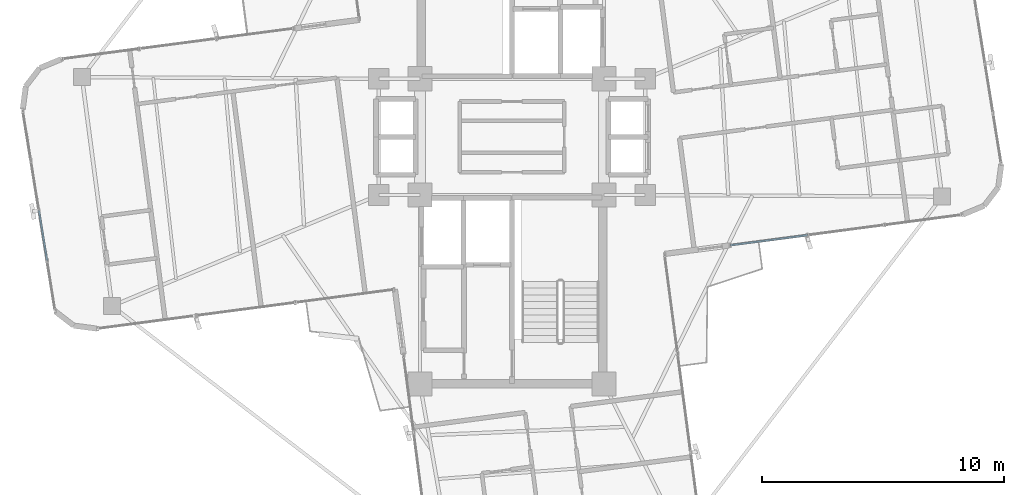
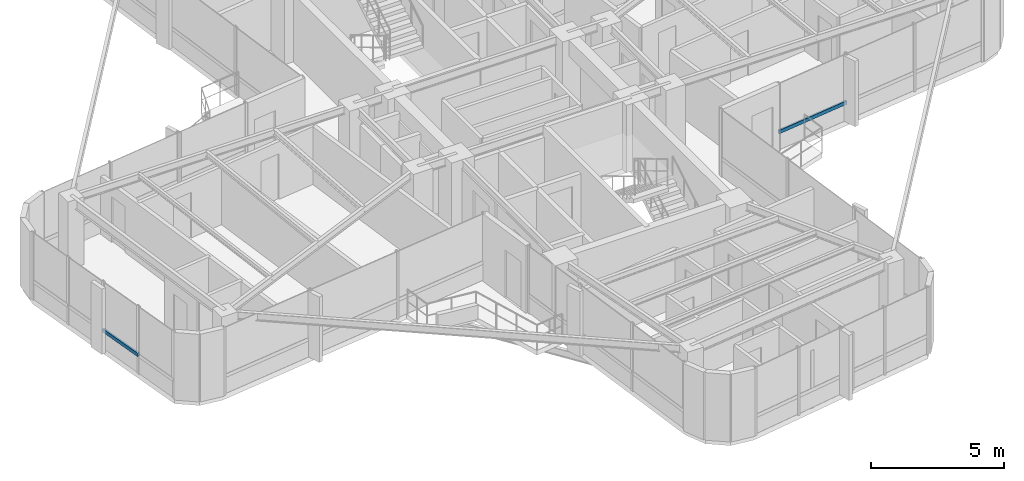
# One storey, part 6 of 22: 2 members, 2 elements without a shape of their own.
"""IFC4 building model written with IfcOpenShell, lengths in metres."""

import ifcopenshell
import ifcopenshell.guid

model = None  # the IFC model being written
_history = None  # IfcOwnerHistory: only IFC2X3 demands one
_inside = {}  # id of a spatial element -> (the spatial element, [elements in it])
_under = {}  # id of a project, library or spatial element -> (it, [spatial elements below it])
_declared = {}  # id of a project -> (the project, [libraries it declares])
_typed = {}  # id of a type object -> (the type object, [elements of that type])
_made_of = {}  # id of a material, layer set ... -> (it, [elements and type objects made of it])


def new_model(schema):
    """Start an empty IFC model of exactly this schema.

    Asked for "IFC4X3", IfcOpenShell would pick the latest addendum, in which some entities
    have other attributes; the version numbers below select the first issue.
    IFC2X3 requires an IfcOwnerHistory on every rooted entity: one is made here for all.
    """
    global model, _history
    if schema == "IFC4X3":
        model = ifcopenshell.file(schema_version=(4, 3, 0, 0))
    else:
        model = ifcopenshell.file(schema=schema)
    _inside.clear()
    _under.clear()
    _declared.clear()
    _typed.clear()
    _made_of.clear()
    _history = None
    if model.schema == "IFC2X3":
        org = make("IfcOrganization", Name="unknown")
        user = make(
            "IfcPersonAndOrganization",
            ThePerson=make("IfcPerson", FamilyName="unknown"),
            TheOrganization=org,
        )
        app = make(
            "IfcApplication",
            ApplicationDeveloper=org,
            Version="unknown",
            ApplicationFullName="unknown",
            ApplicationIdentifier="unknown",
        )
        _history = make(
            "IfcOwnerHistory",
            OwningUser=user,
            OwningApplication=app,
            ChangeAction="ADDED",
            CreationDate=0,
        )
    return model


def make(cls, **values):
    """One entity of the class cls with the attributes given. An attribute that is None is left unset."""
    return model.create_entity(
        cls, **{name: value for name, value in values.items() if value is not None}
    )


def rooted(cls, **values):
    """An entity with a GlobalId (a new one), such as an element, a storey or a relation."""
    return make(cls, GlobalId=ifcopenshell.guid.new(), OwnerHistory=_history, **values)


def si_unit(unit_type, name, prefix=None):
    """IfcSIUnit, for example si_unit("LENGTHUNIT", "METRE", prefix="MILLI")."""
    return make("IfcSIUnit", UnitType=unit_type, Prefix=prefix, Name=name)


def assignment(units):
    """IfcUnitAssignment: the units of a project."""
    return None if units is None else make("IfcUnitAssignment", Units=units)


def point(xyz):
    """IfcCartesianPoint."""
    return None if xyz is None else make("IfcCartesianPoint", Coordinates=xyz)


def direction(xyz):
    """IfcDirection."""
    return None if xyz is None else make("IfcDirection", DirectionRatios=xyz)


def frame(location, z_axis=None, x_axis=None):
    """IfcAxis2Placement3D, a coordinate frame: its origin and axes. An axis left out is left unset."""
    return make(
        "IfcAxis2Placement3D",
        Location=point(location),
        Axis=direction(z_axis),
        RefDirection=direction(x_axis),
    )


def frame_2d(location, x_axis=None):
    """IfcAxis2Placement2D, a coordinate frame in the plane: its origin and x axis."""
    return make(
        "IfcAxis2Placement2D", Location=point(location), RefDirection=direction(x_axis)
    )


def origin():
    """The frame at (0, 0, 0) with its axes left unset."""
    return frame((0.0, 0.0, 0.0))


def origin_2d():
    """The frame at (0, 0) in the plane with its x axis left unset."""
    return frame_2d((0.0, 0.0))


def place(relative_to, where):
    """IfcLocalPlacement: puts the frame where relative to a parent placement (None: the world)."""
    return make(
        "IfcLocalPlacement", PlacementRelTo=relative_to, RelativePlacement=where
    )


def context(
    kind, dimensions, precision=None, world=None, true_north=None, identifier=None
):
    """IfcGeometricRepresentationContext, for example the 3D "Model" context."""
    return make(
        "IfcGeometricRepresentationContext",
        ContextIdentifier=identifier,
        ContextType=kind,
        CoordinateSpaceDimension=dimensions,
        Precision=precision,
        WorldCoordinateSystem=world,
        TrueNorth=true_north,
    )


def subcontext(parent, identifier, kind, view, scale=None):
    """IfcGeometricRepresentationSubContext, for example "Body" below "Model"."""
    return make(
        "IfcGeometricRepresentationSubContext",
        ContextIdentifier=identifier,
        ContextType=kind,
        ParentContext=parent,
        TargetScale=scale,
        TargetView=view,
    )


def project(units=None, contexts=None):
    """IfcProject with its units and contexts."""
    return rooted(
        "IfcProject",
        Name="project",
        RepresentationContexts=contexts,
        UnitsInContext=assignment(units),
    )


def spatial(cls, under=None, at=None, **own):
    """A site, building, storey or space (cls), placed at a placement, below another one or the project."""
    s = rooted(cls, ObjectPlacement=at, **own)
    if under is not None:
        _under.setdefault(under.id(), (under, []))[1].append(s)
    return s


def profile(cls, at=None, kind="AREA", **sizes):
    """A parametric profile (cls). Its sizes go by their IFC names, for example OverallWidth=200.0."""
    return make(cls, ProfileType=kind, Position=at, **sizes)


def hollow_rectangle(**sizes):
    """IfcRectangleHollowProfileDef."""
    return profile("IfcRectangleHollowProfileDef", **sizes)


def extrude(swept, where, along, depth):
    """IfcExtrudedAreaSolid: the profile swept, set in the frame where, extruded along a direction by depth."""
    return make(
        "IfcExtrudedAreaSolid",
        SweptArea=swept,
        Position=where,
        ExtrudedDirection=direction(along),
        Depth=depth,
    )


def shape(context_of_items, identifier, shape_type, items):
    """IfcShapeRepresentation: the items that make up one representation, for example the "Body"."""
    return make(
        "IfcShapeRepresentation",
        ContextOfItems=context_of_items,
        RepresentationIdentifier=identifier,
        RepresentationType=shape_type,
        Items=items,
    )


def source(mapping_origin, context_of_items, identifier, shape_type, items):
    """IfcRepresentationMap: a shape defined once, which mapped items show again and again."""
    return make(
        "IfcRepresentationMap",
        MappingOrigin=mapping_origin,
        MappedRepresentation=shape(context_of_items, identifier, shape_type, items),
    )


def transform(
    local_origin,
    x_axis=None,
    y_axis=None,
    z_axis=None,
    scale=None,
    scale2=None,
    scale3=None,
    uniform=True,
):
    """IfcCartesianTransformationOperator3D, or its non-uniform kind. x_axis, y_axis, z_axis: its Axis1, 2, 3."""
    if uniform:
        return make(
            "IfcCartesianTransformationOperator3D",
            Axis1=direction(x_axis),
            Axis2=direction(y_axis),
            LocalOrigin=point(local_origin),
            Scale=scale,
            Axis3=direction(z_axis),
        )
    return make(
        "IfcCartesianTransformationOperator3DnonUniform",
        Axis1=direction(x_axis),
        Axis2=direction(y_axis),
        LocalOrigin=point(local_origin),
        Scale=scale,
        Axis3=direction(z_axis),
        Scale2=scale2,
        Scale3=scale3,
    )


def mapped(mapping_source, mapping_target):
    """IfcMappedItem: shows the shape of a source again, moved by a transform."""
    return make(
        "IfcMappedItem", MappingSource=mapping_source, MappingTarget=mapping_target
    )


def material(Name=None, Category=None):
    """IfcMaterial."""
    return make("IfcMaterial", Name=Name, Category=Category)


def material_profile(
    of_material, cross_section, Name=None, Category=None, Priority=None
):
    """IfcMaterialProfile: a cross section and its material."""
    return make(
        "IfcMaterialProfile",
        Name=Name,
        Material=of_material,
        Profile=cross_section,
        Priority=Priority,
        Category=Category,
    )


def profile_set(profiles, Name=None, composite=None):
    """IfcMaterialProfileSet."""
    return make(
        "IfcMaterialProfileSet",
        Name=Name,
        MaterialProfiles=profiles,
        CompositeProfile=composite,
    )


def made_of(thing, what):
    """Note that an element or type object is made of a material, layer set ...; save() writes the relation."""
    if what is not None:
        _made_of.setdefault(what.id(), (what, []))[1].append(thing)
    return thing


def type_object(cls, material=None, **own):
    """A type object (cls), such as IfcWallType, which elements share."""
    return made_of(rooted(cls, **own), material)


def element(
    cls,
    number,
    at=None,
    inside=None,
    cuts=None,
    type_object=None,
    material=None,
    context=None,
    identifier="Body",
    shape_type=None,
    held_by="IfcProductDefinitionShape",
    body=None,
    shapes=None,
    **own,
):
    """One element of the class cls, such as IfcWall. Its Tag is "e" and its number.

    at: its placement. inside: the storey or other place that contains it. cuts: it is an
    opening in that element (IfcRelVoidsElement). A single representation is given by context,
    identifier, shape_type and body (its items); several are given by shapes. held_by: the class
    of the entity that holds the representations. save() writes the other relations.
    """
    e = rooted(cls, Tag="e%d" % number, ObjectPlacement=at, **own)
    if body is not None:
        shapes = [shape(context, identifier, shape_type, body)]
    if shapes is not None:
        e.Representation = make(held_by, Representations=shapes)
    if inside is not None:
        _inside.setdefault(inside.id(), (inside, []))[1].append(e)
    if cuts is not None:
        rooted(
            "IfcRelVoidsElement", RelatingBuildingElement=cuts, RelatedOpeningElement=e
        )
    if type_object is not None:
        _typed.setdefault(type_object.id(), (type_object, []))[1].append(e)
    return made_of(e, material)


def aggregate(whole, parts):
    """IfcRelAggregates: a whole, such as a stair, and the parts it consists of."""
    return rooted("IfcRelAggregates", RelatingObject=whole, RelatedObjects=parts)


def save(model, path):
    """Write the relations noted so far, then the file.

    IfcRelAggregates (storeys below a building ...), IfcRelContainedInSpatialStructure (elements
    in a storey), IfcRelDefinesByType, IfcRelAssociatesMaterial and IfcRelDeclares: one each for
    every whole, place, type object, material and project.
    """
    for whole, parts in _under.values():
        aggregate(whole, parts)
    for where, things in _inside.values():
        rooted(
            "IfcRelContainedInSpatialStructure",
            RelatedElements=things,
            RelatingStructure=where,
        )
    for kind, things in _typed.values():
        rooted("IfcRelDefinesByType", RelatedObjects=things, RelatingType=kind)
    for what, things in _made_of.values():
        rooted("IfcRelAssociatesMaterial", RelatedObjects=things, RelatingMaterial=what)
    for by, libraries in _declared.values():
        rooted("IfcRelDeclares", RelatingContext=by, RelatedDefinitions=libraries)
    model.write(path)


model = new_model("IFC4")

# Units and contexts
model_context = context("Model", 3, precision=1e-05, world=origin(), true_north=direction((0.0, 1.0)))
body_context = subcontext(model_context, "Body", "Model", "MODEL_VIEW")
ifc_project = project(units=[si_unit("LENGTHUNIT", "METRE"), si_unit("AREAUNIT", "SQUARE_METRE"), si_unit("VOLUMEUNIT", "CUBIC_METRE"), si_unit("PLANEANGLEUNIT", "RADIAN"), si_unit("MASSUNIT", "GRAM", prefix="KILO")], contexts=[model_context])

# Site, building, storey
site_placement = place(None, origin())
site = spatial("IfcSite", under=ifc_project, at=site_placement, CompositionType="ELEMENT")
building_placement = place(site_placement, origin())
building = spatial("IfcBuilding", under=site, at=building_placement, Name="Sahyath Konkavel Grand Hotel", CompositionType="ELEMENT")
storey_placement = place(building_placement, frame((0.0, 0.0, 247.85009765625)))
storey = spatial("IfcBuildingStorey", under=building, at=storey_placement, Name="L69", CompositionType="ELEMENT", Elevation=247.85009765625)

# Curtain wall, member
ifc_material_1 = material(Name="Anodised Bronze Aluminium & Low-E Glazing", Category="aluminium")
curtain_wall_type = type_object("IfcCurtainWallType", Name="CW-ZONE4", PredefinedType="NOTDEFINED", material=ifc_material_1)
curtain_wall_1_placement = place(storey_placement, origin())
curtain_wall_1 = element("IfcCurtainWall", 1, at=curtain_wall_1_placement, inside=storey, type_object=curtain_wall_type, Name="L69 Unitised Curtain Wall F0", PredefinedType="NOTDEFINED")
ifc_material_2 = material(Name="Anodised Bronze Aluminium", Category="aluminium")
ifc_material_profile = material_profile(ifc_material_2, hollow_rectangle(XDim=0.080078125, YDim=0.159912109375, WallThickness=0.006103515625, at=origin_2d()), Name="RHS 160x80x6")
ifc_profile_set = profile_set([ifc_material_profile], Name="Anodised Bronze Aluminium")
member_type = type_object("IfcMemberType", Name="CW-TRN-160", PredefinedType="USERDEFINED", material=ifc_profile_set)
shared_shape_1 = source(origin(), body_context, "Body", "SweptSolid", [
    extrude(hollow_rectangle(XDim=0.080078125, YDim=0.159912109375, WallThickness=0.006103515625, at=origin_2d()), origin(), (0.0, 0.0, 1.0), 3.21240234375),
])
member_1_placement = place(storey_placement, frame((9.01416015625, -4.474609375, 0.849853515625), z_axis=(0.991448862258, 0.130495798888, 0.0), x_axis=(-0.130495798888, 0.991448862258, 0.0)))
member_1 = element("IfcMember", 2, at=member_1_placement, type_object=member_type, Name="L69 Curtain Wall Transom F0-0-spandrel", ObjectType="TRANSOM", PredefinedType="USERDEFINED", context=body_context, shape_type="MappedRepresentation", body=[
    mapped(shared_shape_1, transform((0.0, 0.0, 0.0), scale=1.0)),
])
aggregate(curtain_wall_1, [member_1])

curtain_wall_2_placement = place(storey_placement, origin())
curtain_wall_2 = element("IfcCurtainWall", 3, at=curtain_wall_2_placement, inside=storey, type_object=curtain_wall_type, Name="L69 Unitised Curtain Wall F20", PredefinedType="NOTDEFINED")
shared_shape_2 = source(origin(), body_context, "Body", "SweptSolid", [
    extrude(hollow_rectangle(XDim=0.080078125, YDim=0.159912109375, WallThickness=0.006103515625, at=origin_2d()), origin(), (0.0, 0.0, 1.0), 2.09375),
])
member_2_placement = place(storey_placement, frame((-19.526611328125, -3.037109375, 0.849853515625), z_axis=(0.159518391326, -0.987194956849, 0.0), x_axis=(0.987194956849, 0.159518391326, 0.0)))
member_2 = element("IfcMember", 4, at=member_2_placement, type_object=member_type, Name="L69 Curtain Wall Transom F20-2-spandrel", ObjectType="TRANSOM", PredefinedType="USERDEFINED", context=body_context, shape_type="MappedRepresentation", body=[
    mapped(shared_shape_2, transform((0.0, 0.0, 0.0), scale=1.0)),
])
aggregate(curtain_wall_2, [member_2])

save(model, "model.ifc")
